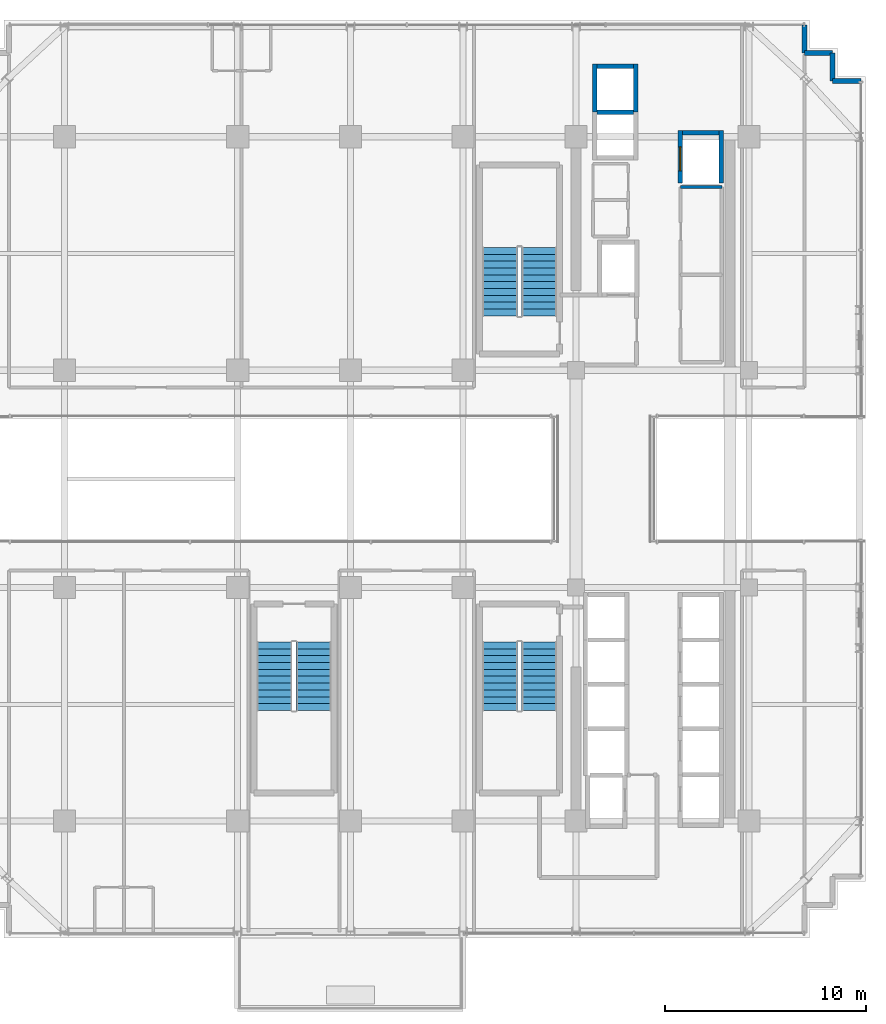
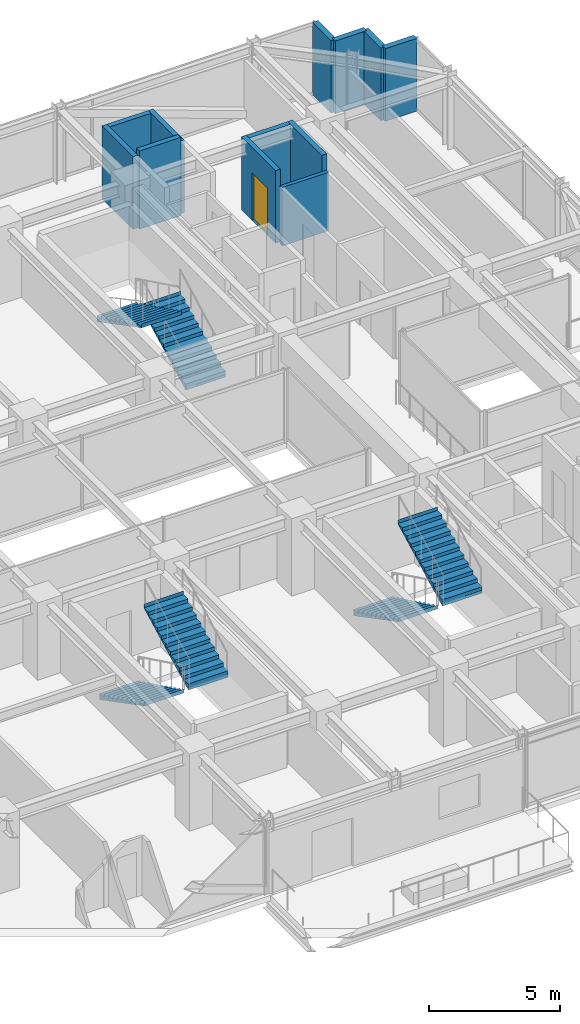
# One storey, part 31 of 35: 12 walls, 6 stair flights, 1 door, 1 opening, 3 elements without a shape of their own.
"""IFC4 building model written with IfcOpenShell, lengths in metres."""

from ifc_helpers import new_model, si_unit, direction, frame, frame_2d, origin, place, context, subcontext, project, spatial, polyline, rectangle, outline, extrude, source, transform, mapped, material, layer, layer_set, type_object, element, fill, aggregate, save


model = new_model("IFC4")

# Units and contexts
model_context = context("Model", 3, precision=1e-05, world=origin(), true_north=direction((0.0, 1.0)))
body_context = subcontext(model_context, "Body", "Model", "MODEL_VIEW")
ifc_project = project(units=[si_unit("LENGTHUNIT", "METRE"), si_unit("AREAUNIT", "SQUARE_METRE"), si_unit("VOLUMEUNIT", "CUBIC_METRE"), si_unit("PLANEANGLEUNIT", "RADIAN"), si_unit("MASSUNIT", "GRAM", prefix="KILO")], contexts=[model_context])

# Site, building, storey
site_placement = place(None, origin())
site = spatial("IfcSite", under=ifc_project, at=site_placement, CompositionType="ELEMENT")
building_placement = place(site_placement, origin())
building = spatial("IfcBuilding", under=site, at=building_placement, Name="Nahalor Promenade Grand Hotel", CompositionType="ELEMENT")
storey_placement = place(building_placement, frame((0.0, 0.0, 185.5)))
storey = spatial("IfcBuildingStorey", under=building, at=storey_placement, Name="L47", CompositionType="ELEMENT", Elevation=185.5)

# Walls
ifc_material_1 = material(Name="Concrete B-50 (C40/50)", Category="concrete")
ifc_layer_1 = layer(ifc_material_1, 0.219970703125)
ifc_layer_set_1 = layer_set([ifc_layer_1], Name="Concrete B-50 (C40/50)")
wall_type_1 = type_object("IfcWallType", Name="Wall-LiftShaft-220", PredefinedType="SHEAR", material=ifc_layer_set_1)
shared_shape_1 = source(origin(), body_context, "Body", "SweptSolid", [
    extrude(rectangle(XDim=1.820068359375, YDim=0.219970703125, at=frame_2d((0.91015625, 0.0))), origin(), (0.0, 0.0, 1.0), 3.64990234375),
])
wall_1_placement = place(storey_placement, frame((9.43994140625, 18.22509765625, 0.0), z_axis=(0.0, 0.0, 1.0), x_axis=(1.0, 0.0, 0.0)))
element("IfcWall", 1, at=wall_1_placement, inside=storey, type_object=wall_type_1, Name="L47 Lift OB1 Hoistway Wall N", PredefinedType="SHEAR", context=body_context, shape_type="MappedRepresentation", body=[
    mapped(shared_shape_1, transform((0.0, 0.0, 0.0), scale=1.0)),
])
shared_shape_2 = source(origin(), body_context, "Body", "SweptSolid", [
    extrude(rectangle(XDim=1.820068359375, YDim=0.219970703125, at=frame_2d((0.91015625, 0.0))), origin(), (0.0, 0.0, 1.0), 3.389892578125),
])
for number, where, z_axis, x_axis, name in (
    (2, (9.43994140625, 20.5, 0.0), (0.0, 0.0, 1.0), (1.0, 0.0, 0.0), "L47 Lift OB2 Hoistway Wall N"),
    (3, (13.68994140625, 17.199951171875, 0.0), (0.0, 0.0, 1.0), (1.0, 0.0, 0.0), "L47 Lift SV1 Hoistway Wall N"),
):
    element("IfcWall", number, at=place(storey_placement, frame(where, z_axis=z_axis, x_axis=x_axis)), inside=storey, type_object=wall_type_1, Name=name, PredefinedType="SHEAR", context=body_context, shape_type="MappedRepresentation", body=[
        mapped(shared_shape_2, transform((0.0, 0.0, 0.0), scale=1.0)),
    ])
shared_shape_3 = source(origin(), body_context, "Body", "SweptSolid", [
    extrude(rectangle(XDim=2.385009765625, YDim=0.219970703125, at=frame_2d((1.1923828125, 0.0))), origin(), (0.0, 0.0, 1.0), 3.389892578125),
])
for number, where, z_axis, x_axis, name in (
    (4, (9.330078125, 18.22509765625, 0.0), (0.0, 0.0, 1.0), (0.0, 1.0, 0.0), "L47 Lift OB2 Hoistway Wall W"),
    (5, (11.3701171875, 18.22509765625, 0.0), (0.0, 0.0, 1.0), (0.0, 1.0, 0.0), "L47 Lift OB2 Hoistway Wall E"),
):
    element("IfcWall", number, at=place(storey_placement, frame(where, z_axis=z_axis, x_axis=x_axis)), inside=storey, type_object=wall_type_1, Name=name, PredefinedType="SHEAR", context=body_context, shape_type="MappedRepresentation", body=[
        mapped(shared_shape_3, transform((0.0, 0.0, 0.0), scale=1.0)),
    ])

# Wall, opening, door
shared_shape_4 = source(origin(), body_context, "Body", "SweptSolid", [
    extrude(rectangle(XDim=2.610107421875, YDim=0.219970703125, at=frame_2d((1.30517578125, 0.0))), origin(), (0.0, 0.0, 1.0), 3.389892578125),
])
wall_2_placement = place(storey_placement, frame((13.580078125, 14.699951171875, 0.0), z_axis=(0.0, 0.0, 1.0), x_axis=(0.0, 1.0, 0.0)))
wall_2 = element("IfcWall", 6, at=wall_2_placement, inside=storey, type_object=wall_type_1, Name="L47 Lift SV1 Hoistway Wall W", PredefinedType="SHEAR", context=body_context, shape_type="MappedRepresentation", body=[
    mapped(shared_shape_4, transform((0.0, 0.0, 0.0), scale=1.0)),
])
opening_placement = place(wall_2_placement, frame((0.60009765625, 0.0, 0.0)))
opening = element("IfcOpeningElement", 7, at=opening_placement, cuts=wall_2, Name="Opening LD-03", PredefinedType="OPENING", context=body_context, shape_type="SweptSolid", body=[
    extrude(rectangle(XDim=1.199951171875, YDim=2.199951171875, at=frame_2d((0.60009765625, 1.10009765625))), frame((0.0, 0.119873046875, 0.0), z_axis=(0.0, -1.0, 0.0), x_axis=(1.0, 0.0, 0.0)), (0.0, 0.0, 1.0), 0.239990234375),
])
ifc_material_2 = material(Name="Steel S355JR", Category="steel")
door_type = type_object("IfcDoorType", Name="Door-LiftService-1200", OperationType="DOUBLE_DOOR_SLIDING", PredefinedType="DOOR", material=ifc_material_2)
shared_shape_5 = source(origin(), body_context, "Body", "SweptSolid", [
    extrude(rectangle(XDim=1.199951171875, YDim=2.199951171875, at=frame_2d((0.60009765625, 1.10009765625))), frame((0.0, 0.02490234375, 0.0), z_axis=(0.0, -1.0, 0.0), x_axis=(1.0, 0.0, 0.0)), (0.0, 0.0, 1.0), 0.050048828125),
])
door_placement = place(opening_placement, origin())
door = element("IfcDoor", 8, at=door_placement, inside=storey, type_object=door_type, Name="DR-LIFT-SV1-L47", OperationType="DOUBLE_DOOR_SLIDING", OverallHeight=2.199951171875, OverallWidth=1.199951171875, PredefinedType="DOOR", context=body_context, shape_type="MappedRepresentation", body=[
    mapped(shared_shape_5, transform((0.0, 0.0, 0.0), scale=1.0)),
])
fill(opening, door)

# Walls
wall_3_placement = place(storey_placement, frame((15.6201171875, 14.699951171875, 0.0), z_axis=(0.0, 0.0, 1.0), x_axis=(0.0, 1.0, 0.0)))
element("IfcWall", 9, at=wall_3_placement, inside=storey, type_object=wall_type_1, Name="L47 Lift SV1 Hoistway Wall E", PredefinedType="SHEAR", context=body_context, shape_type="MappedRepresentation", body=[
    mapped(shared_shape_4, transform((0.0, 0.0, 0.0), scale=1.0)),
])
ifc_material_3 = material(Name="Concrete B-40 (C32/40)", Category="concrete")
ifc_layer_2 = layer(ifc_material_3, 0.25)
ifc_layer_set_2 = layer_set([ifc_layer_2], Name="Concrete B-40 (C32/40)")
wall_type_2 = type_object("IfcWallType", Name="Wall-BronzePier-250", PredefinedType="STANDARD", material=ifc_layer_set_2)
shared_shape_6 = source(origin(), body_context, "Body", "SweptSolid", [
    extrude(rectangle(XDim=1.400146484375, YDim=0.25, at=frame_2d((0.7001953125, 0.0))), origin(), (0.0, 0.0, 1.0), 3.389892578125),
])
for number, where, z_axis, x_axis, name in (
    (10, (21.159912109375, 19.760009765625, 0.0), (0.0, 0.0, 1.0), (1.0, 0.0, 0.0), "W-L47-SR-05"),
    (11, (19.760009765625, 21.159912109375, 0.0), (0.0, 0.0, 1.0), (0.0, 1.0, 0.0), "W-L47-SR-08"),
):
    element("IfcWall", number, at=place(storey_placement, frame(where, z_axis=z_axis, x_axis=x_axis)), inside=storey, type_object=wall_type_2, Name=name, PredefinedType="STANDARD", context=body_context, shape_type="MappedRepresentation", body=[
        mapped(shared_shape_6, transform((0.0, 0.0, 0.0), scale=1.0)),
    ])
shared_shape_7 = source(origin(), body_context, "Body", "SweptSolid", [
    extrude(rectangle(XDim=1.39990234375, YDim=0.25, at=frame_2d((0.699951171875, 0.0))), origin(), (0.0, 0.0, 1.0), 3.389892578125),
])
for number, where, z_axis, x_axis, name in (
    (12, (21.159912109375, 19.760009765625, 0.0), (0.0, 0.0, 1.0), (0.0, 1.0, 0.0), "W-L47-SR-06"),
    (13, (19.760009765625, 21.159912109375, 0.0), (0.0, 0.0, 1.0), (1.0, 0.0, 0.0), "W-L47-SR-07"),
):
    element("IfcWall", number, at=place(storey_placement, frame(where, z_axis=z_axis, x_axis=x_axis)), inside=storey, type_object=wall_type_2, Name=name, PredefinedType="STANDARD", context=body_context, shape_type="MappedRepresentation", body=[
        mapped(shared_shape_7, transform((0.0, 0.0, 0.0), scale=1.0)),
    ])
ifc_material_4 = material(Name="Acoustic Mineral Gypsum", Category="gypsum")
ifc_layer_3 = layer(ifc_material_4, 0.159912109375)
ifc_layer_set_3 = layer_set([ifc_layer_3], Name="Acoustic Mineral Gypsum")
wall_type_3 = type_object("IfcWallType", Name="Wall-PartCorridor-160", PredefinedType="PARTITIONING", material=ifc_layer_set_3)
shared_shape_8 = source(origin(), body_context, "Body", "SweptSolid", [
    extrude(rectangle(XDim=2.0498046875, YDim=0.159912109375, at=frame_2d((1.02490234375, 0.0))), origin(), (0.0, 0.0, 1.0), 2.72998046875),
])
wall_4_placement = place(storey_placement, frame((13.60009765625, 14.5, 0.0), z_axis=(0.0, 0.0, 1.0), x_axis=(1.0, 0.0, 0.0)))
element("IfcWall", 14, at=wall_4_placement, inside=storey, type_object=wall_type_3, Name="W-L47-FRB1B-N", PredefinedType="PARTITIONING", context=body_context, shape_type="MappedRepresentation", body=[
    mapped(shared_shape_8, transform((0.0, 0.0, 0.0), scale=1.0)),
])

# Stair, stair flights
stair_type_1 = type_object("IfcStairType", Name="Stair-ST1", PredefinedType="HALF_TURN_STAIR", material=ifc_material_1)
stair_1_placement = place(storey_placement, origin())
stair_1 = element("IfcStair", 15, at=stair_1_placement, inside=storey, type_object=stair_type_1, Name="L47 ST1", PredefinedType="HALF_TURN_STAIR")
ifc_layer_4 = layer(ifc_material_1, 0.179931640625)
ifc_layer_set_4 = layer_set([ifc_layer_4], Name="Concrete B-50 (C40/50)")
stair_flight_type_1 = type_object("IfcStairFlightType", Name="Flight-ST1", PredefinedType="STRAIGHT", material=ifc_layer_set_4)
shared_shape_9 = source(origin(), body_context, "Body", "SweptSolid", [
    extrude(outline(polyline([(-0.00390625, -0.1201171875), (-0.00390625, 0.0), (0.0, 0.0), (0.0, 0.166015625), (0.340087890625, 0.166015625), (0.340087890625, 0.331787109375), (0.679931640625, 0.331787109375), (0.679931640625, 0.497802734375), (1.02001953125, 0.497802734375), (1.02001953125, 0.66357421875), (1.360107421875, 0.66357421875), (1.360107421875, 0.82958984375), (1.699951171875, 0.82958984375), (1.699951171875, 0.995361328125), (2.0400390625, 0.995361328125), (2.0400390625, 1.161376953125), (2.3798828125, 1.161376953125), (2.3798828125, 1.327392578125), (2.719970703125, 1.327392578125), (2.719970703125, 1.4931640625), (3.06005859375, 1.4931640625), (3.06005859375, 1.6591796875), (3.39990234375, 1.6591796875), (3.39990234375, 1.824951171875), (3.404052734375, 1.824951171875), (3.404052734375, 1.64501953125), (0.02001953125, -0.1201171875), (-0.00390625, -0.1201171875)])), frame((0.0, 0.875, 0.0), z_axis=(0.0, -1.0, 0.0), x_axis=(1.0, 0.0, 0.0)), (0.0, 0.0, 1.0), 1.75),
])
stair_flight_1_placement = place(storey_placement, frame((6.574951171875, 8.10009765625, 0.0), z_axis=(0.0, 0.0, 1.0), x_axis=(0.0, 1.0, 0.0)))
stair_flight_1 = element("IfcStairFlight", 16, at=stair_flight_1_placement, type_object=stair_flight_type_1, Name="ST1 flight 1", NumberOfRisers=11, NumberOfTreads=10, PredefinedType="STRAIGHT", RiserHeight=0.165909091, TreadLength=0.34, context=body_context, shape_type="MappedRepresentation", body=[
    mapped(shared_shape_9, transform((0.0, 0.0, 0.0), scale=1.0)),
])
stair_flight_2_placement = place(storey_placement, frame((4.625, 11.5, 1.824951171875), z_axis=(0.0, 0.0, 1.0), x_axis=(0.0, -1.0, 0.0)))
stair_flight_2 = element("IfcStairFlight", 17, at=stair_flight_2_placement, type_object=stair_flight_type_1, Name="ST1 flight 2", NumberOfRisers=11, NumberOfTreads=10, PredefinedType="STRAIGHT", RiserHeight=0.165909091, TreadLength=0.34, context=body_context, shape_type="MappedRepresentation", body=[
    mapped(shared_shape_9, transform((0.0, 0.0, 0.0), scale=1.0)),
])
aggregate(stair_1, [stair_flight_1, stair_flight_2])

stair_type_2 = type_object("IfcStairType", Name="Stair-ST2", PredefinedType="HALF_TURN_STAIR", material=ifc_material_1)
stair_2_placement = place(storey_placement, origin())
stair_2 = element("IfcStair", 18, at=stair_2_placement, inside=storey, type_object=stair_type_2, Name="L47 ST2", PredefinedType="HALF_TURN_STAIR")
ifc_layer_5 = layer(ifc_material_1, 0.18994140625)
ifc_layer_set_5 = layer_set([ifc_layer_5], Name="Concrete B-50 (C40/50)")
stair_flight_type_2 = type_object("IfcStairFlightType", Name="Flight-ST2", PredefinedType="STRAIGHT", material=ifc_layer_set_5)
shared_shape_10 = source(origin(), body_context, "Body", "SweptSolid", [
    extrude(outline(polyline([(-0.00390625, -0.1201171875), (-0.00390625, 0.0), (0.0, 0.0), (0.0, 0.166015625), (0.340087890625, 0.166015625), (0.340087890625, 0.331787109375), (0.679931640625, 0.331787109375), (0.679931640625, 0.497802734375), (1.02001953125, 0.497802734375), (1.02001953125, 0.66357421875), (1.360107421875, 0.66357421875), (1.360107421875, 0.82958984375), (1.699951171875, 0.82958984375), (1.699951171875, 0.995361328125), (2.0400390625, 0.995361328125), (2.0400390625, 1.161376953125), (2.3798828125, 1.161376953125), (2.3798828125, 1.327392578125), (2.719970703125, 1.327392578125), (2.719970703125, 1.4931640625), (3.06005859375, 1.4931640625), (3.06005859375, 1.6591796875), (3.39990234375, 1.6591796875), (3.39990234375, 1.824951171875), (3.404052734375, 1.824951171875), (3.404052734375, 1.64501953125), (0.02001953125, -0.1201171875), (-0.00390625, -0.1201171875)])), frame((0.0, 0.875, 0.0), z_axis=(0.0, -1.0, 0.0), x_axis=(1.0, 0.0, 0.0)), (0.0, 0.0, 1.0), 1.75),
])
stair_flight_3_placement = place(storey_placement, frame((4.625, -8.10009765625, 0.0), z_axis=(0.0, 0.0, 1.0), x_axis=(0.0, -1.0, 0.0)))
stair_flight_3 = element("IfcStairFlight", 19, at=stair_flight_3_placement, type_object=stair_flight_type_2, Name="ST2 flight 1", NumberOfRisers=11, NumberOfTreads=10, PredefinedType="STRAIGHT", RiserHeight=0.165909091, TreadLength=0.34, context=body_context, shape_type="MappedRepresentation", body=[
    mapped(shared_shape_10, transform((0.0, 0.0, 0.0), scale=1.0)),
])
stair_flight_4_placement = place(storey_placement, frame((6.574951171875, -11.5, 1.824951171875), z_axis=(0.0, 0.0, 1.0), x_axis=(0.0, 1.0, 0.0)))
stair_flight_4 = element("IfcStairFlight", 20, at=stair_flight_4_placement, type_object=stair_flight_type_2, Name="ST2 flight 2", NumberOfRisers=11, NumberOfTreads=10, PredefinedType="STRAIGHT", RiserHeight=0.165909091, TreadLength=0.34, context=body_context, shape_type="MappedRepresentation", body=[
    mapped(shared_shape_10, transform((0.0, 0.0, 0.0), scale=1.0)),
])
aggregate(stair_2, [stair_flight_3, stair_flight_4])

stair_type_3 = type_object("IfcStairType", Name="Stair-ST3", PredefinedType="HALF_TURN_STAIR", material=ifc_material_1)
stair_3_placement = place(storey_placement, origin())
stair_3 = element("IfcStair", 21, at=stair_3_placement, inside=storey, type_object=stair_type_3, Name="L47 ST3", PredefinedType="HALF_TURN_STAIR")
ifc_layer_6 = layer(ifc_material_1, 0.199951171875)
ifc_layer_set_6 = layer_set([ifc_layer_6], Name="Concrete B-50 (C40/50)")
stair_flight_type_3 = type_object("IfcStairFlightType", Name="Flight-ST3", PredefinedType="STRAIGHT", material=ifc_layer_set_6)
shared_shape_11 = source(origin(), body_context, "Body", "SweptSolid", [
    extrude(outline(polyline([(-0.00390625, -0.1201171875), (-0.00390625, 0.0), (0.0, 0.0), (0.0, 0.166015625), (0.340087890625, 0.166015625), (0.340087890625, 0.331787109375), (0.679931640625, 0.331787109375), (0.679931640625, 0.497802734375), (1.02001953125, 0.497802734375), (1.02001953125, 0.66357421875), (1.360107421875, 0.66357421875), (1.360107421875, 0.82958984375), (1.699951171875, 0.82958984375), (1.699951171875, 0.995361328125), (2.0400390625, 0.995361328125), (2.0400390625, 1.161376953125), (2.3798828125, 1.161376953125), (2.3798828125, 1.327392578125), (2.719970703125, 1.327392578125), (2.719970703125, 1.4931640625), (3.06005859375, 1.4931640625), (3.06005859375, 1.6591796875), (3.39990234375, 1.6591796875), (3.39990234375, 1.824951171875), (3.404052734375, 1.824951171875), (3.404052734375, 1.64501953125), (0.02001953125, -0.1201171875), (-0.00390625, -0.1201171875)])), frame((0.0, 0.875, 0.0), z_axis=(0.0, -1.0, 0.0), x_axis=(1.0, 0.0, 0.0)), (0.0, 0.0, 1.0), 1.75),
])
stair_flight_5_placement = place(storey_placement, frame((-6.574951171875, -8.10009765625, 0.0), z_axis=(0.0, 0.0, 1.0), x_axis=(0.0, -1.0, 0.0)))
stair_flight_5 = element("IfcStairFlight", 22, at=stair_flight_5_placement, type_object=stair_flight_type_3, Name="ST3 flight 1", NumberOfRisers=11, NumberOfTreads=10, PredefinedType="STRAIGHT", RiserHeight=0.165909091, TreadLength=0.34, context=body_context, shape_type="MappedRepresentation", body=[
    mapped(shared_shape_11, transform((0.0, 0.0, 0.0), scale=1.0)),
])
stair_flight_6_placement = place(storey_placement, frame((-4.625, -11.5, 1.824951171875), z_axis=(0.0, 0.0, 1.0), x_axis=(0.0, 1.0, 0.0)))
stair_flight_6 = element("IfcStairFlight", 23, at=stair_flight_6_placement, type_object=stair_flight_type_3, Name="ST3 flight 2", NumberOfRisers=11, NumberOfTreads=10, PredefinedType="STRAIGHT", RiserHeight=0.165909091, TreadLength=0.34, context=body_context, shape_type="MappedRepresentation", body=[
    mapped(shared_shape_11, transform((0.0, 0.0, 0.0), scale=1.0)),
])
aggregate(stair_3, [stair_flight_5, stair_flight_6])

save(model, "model.ifc")
